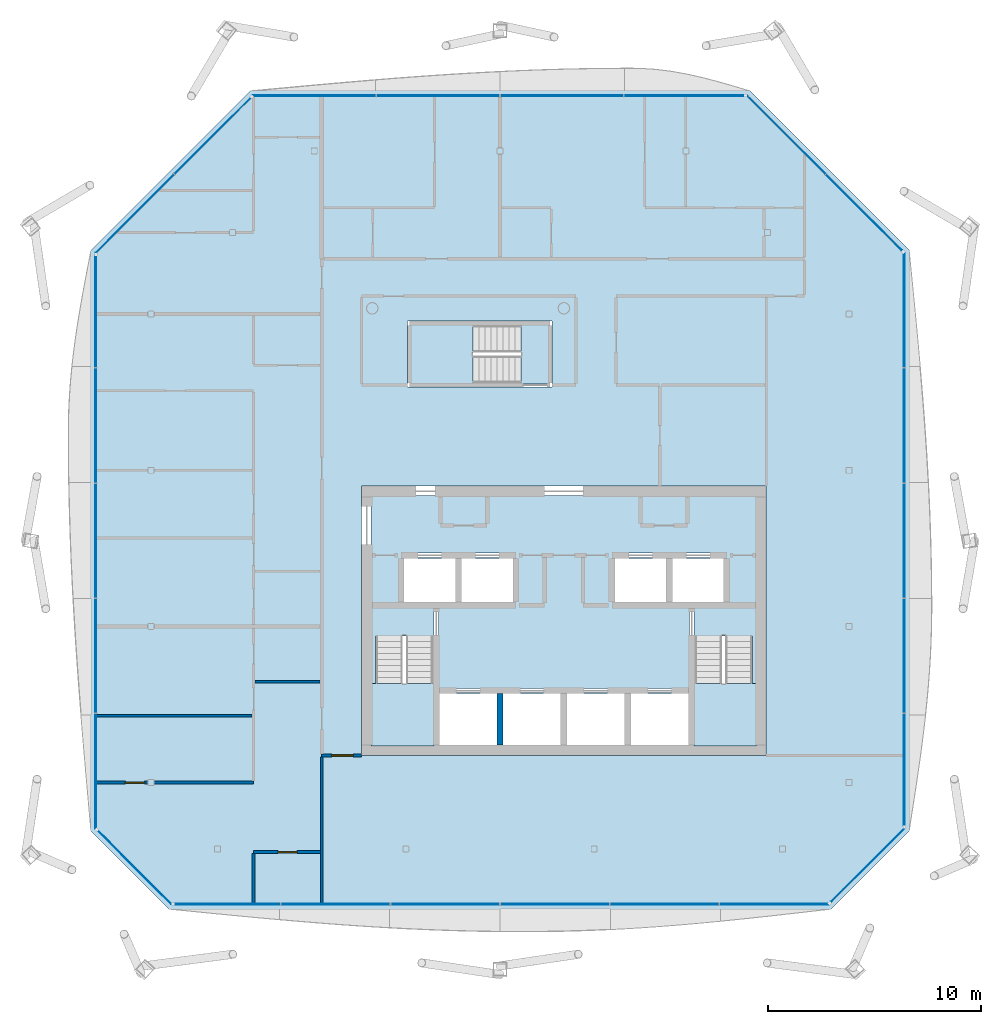
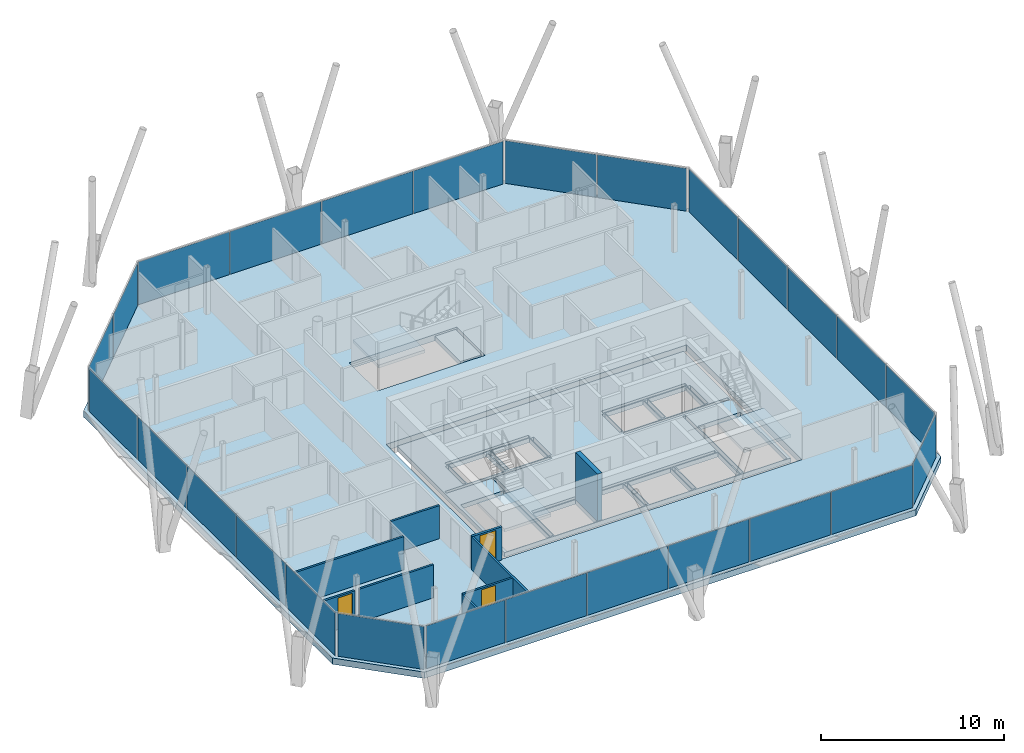
# One storey, part 11 of 18: 26 plates, 9 walls, 6 slabs, 3 doors, 3 openings, 11 elements without a shape of their own.
"""IFC4 building model written with IfcOpenShell, lengths in metres."""

from ifc_helpers import new_model, si_unit, direction, frame, frame_2d, origin, origin_2d, place, context, subcontext, project, spatial, polyline, rectangle, outline, extrude, material, layer, layer_set, type_object, element, fill, aggregate, save


model = new_model("IFC4")

# Units and contexts
model_context = context("Model", 3, precision=1e-05, world=origin(), true_north=direction((0.0, 1.0)))
body_context = subcontext(model_context, "Body", "Model", "MODEL_VIEW")
ifc_project = project(units=[si_unit("LENGTHUNIT", "METRE"), si_unit("AREAUNIT", "SQUARE_METRE"), si_unit("VOLUMEUNIT", "CUBIC_METRE"), si_unit("PLANEANGLEUNIT", "RADIAN"), si_unit("MASSUNIT", "GRAM", prefix="KILO")], contexts=[model_context])

# Site, building, storey
site_placement = place(None, origin())
site = spatial("IfcSite", under=ifc_project, at=site_placement, CompositionType="ELEMENT")
building_placement = place(site_placement, origin())
building = spatial("IfcBuilding", under=site, at=building_placement, Name="Tskaro Facet Tower", CompositionType="ELEMENT")
storey_placement = place(building_placement, frame((0.0, 0.0, 217.199951171875)))
storey = spatial("IfcBuildingStorey", under=building, at=storey_placement, Name="L55", CompositionType="ELEMENT", Elevation=217.199951171875)

# Curtain wall, plates
ifc_material_1 = material(Name="Bronze anodised aluminium 6063-T6", Category="aluminium")
curtain_wall_type = type_object("IfcCurtainWallType", Name="Bronze residence curtain wall (FW3)", PredefinedType="NOTDEFINED", material=ifc_material_1)
curtain_wall_1_placement = place(storey_placement, origin())
curtain_wall_1 = element("IfcCurtainWall", 1, at=curtain_wall_1_placement, inside=storey, type_object=curtain_wall_type, Name="FW3 south facet L55", PredefinedType="NOTDEFINED")
ifc_material_2 = material(Name="Bronze low-iron glass", Category="glass")
ifc_layer_1 = layer(ifc_material_2, 0.028076171875, Name="Bronze low-iron glass")
ifc_layer_set_1 = layer_set([ifc_layer_1], Name="Bronze low-iron glass")
plate_type = type_object("IfcPlateType", Name="FW3 bronze-tinted unit glazing 28", PredefinedType="CURTAIN_PANEL", material=ifc_layer_set_1)
plate_1_placement = place(storey_placement, frame((-15.804931640625, -18.985107421875, 0.0), z_axis=(0.0, 0.0, 1.0), x_axis=(1.0, 0.0, 0.0)))
plate_1 = element("IfcPlate", 2, at=plate_1_placement, type_object=plate_type, Name="FW3 south glazing 1.1", PredefinedType="CURTAIN_PANEL", context=body_context, shape_type="SweptSolid", body=[
    extrude(rectangle(XDim=4.97998046875, YDim=0.028076171875, at=origin_2d()), origin(), (0.0, 0.0, 1.0), 2.860107421875),
])
plate_2_placement = place(storey_placement, frame((-10.717529296875, -18.985107421875, 0.0), z_axis=(0.0, 0.0, 1.0), x_axis=(1.0, 0.0, 0.0)))
plate_2 = element("IfcPlate", 3, at=plate_2_placement, type_object=plate_type, Name="FW3 south glazing 2.1", PredefinedType="CURTAIN_PANEL", context=body_context, shape_type="SweptSolid", body=[
    extrude(rectangle(XDim=5.094970703125, YDim=0.028076171875, at=origin_2d()), origin(), (0.0, 0.0, 1.0), 2.860107421875),
])
plate_3_placement = place(storey_placement, frame((-5.572509765625, -18.985107421875, 0.0), z_axis=(0.0, 0.0, 1.0), x_axis=(1.0, 0.0, 0.0)))
plate_3 = element("IfcPlate", 4, at=plate_3_placement, type_object=plate_type, Name="FW3 south glazing 3.1", PredefinedType="CURTAIN_PANEL", context=body_context, shape_type="SweptSolid", body=[
    extrude(rectangle(XDim=5.094970703125, YDim=0.028076171875, at=origin_2d()), origin(), (0.0, 0.0, 1.0), 2.860107421875),
])
plate_4_placement = place(storey_placement, frame((-0.427490234375, -18.985107421875, 0.0), z_axis=(0.0, 0.0, 1.0), x_axis=(1.0, 0.0, 0.0)))
plate_4 = element("IfcPlate", 5, at=plate_4_placement, type_object=plate_type, Name="FW3 south glazing 4.1", PredefinedType="CURTAIN_PANEL", context=body_context, shape_type="SweptSolid", body=[
    extrude(rectangle(XDim=5.094970703125, YDim=0.028076171875, at=origin_2d()), origin(), (0.0, 0.0, 1.0), 2.860107421875),
])
plate_5_placement = place(storey_placement, frame((4.717529296875, -18.985107421875, 0.0), z_axis=(0.0, 0.0, 1.0), x_axis=(1.0, 0.0, 0.0)))
plate_5 = element("IfcPlate", 6, at=plate_5_placement, type_object=plate_type, Name="FW3 south glazing 5.1", PredefinedType="CURTAIN_PANEL", context=body_context, shape_type="SweptSolid", body=[
    extrude(rectangle(XDim=5.094970703125, YDim=0.028076171875, at=origin_2d()), origin(), (0.0, 0.0, 1.0), 2.860107421875),
])
plate_6_placement = place(storey_placement, frame((9.875, -18.985107421875, 0.0), z_axis=(0.0, 0.0, 1.0), x_axis=(1.0, 0.0, 0.0)))
plate_6 = element("IfcPlate", 7, at=plate_6_placement, type_object=plate_type, Name="FW3 south glazing 6.1", PredefinedType="CURTAIN_PANEL", context=body_context, shape_type="SweptSolid", body=[
    extrude(rectangle(XDim=5.1201171875, YDim=0.028076171875, at=origin_2d()), origin(), (0.0, 0.0, 1.0), 2.860107421875),
])
aggregate(curtain_wall_1, [plate_1, plate_2, plate_3, plate_4, plate_5, plate_6])

# Curtain wall, plate
curtain_wall_2_placement = place(storey_placement, origin())
curtain_wall_2 = element("IfcCurtainWall", 8, at=curtain_wall_2_placement, inside=storey, type_object=curtain_wall_type, Name="FW3 south-east facet L55", PredefinedType="NOTDEFINED")
plate_7_placement = place(storey_placement, frame((14.259521484375, -17.160400390625, 0.0), z_axis=(0.0, 0.0, 1.0), x_axis=(0.707106781187, 0.707106781187, 0.0)))
plate_7 = element("IfcPlate", 9, at=plate_7_placement, type_object=plate_type, Name="FW3 south-east glazing 1.1", PredefinedType="CURTAIN_PANEL", context=body_context, shape_type="SweptSolid", body=[
    extrude(rectangle(XDim=4.88037109375, YDim=0.028076171875, at=origin_2d()), origin(), (0.0, 0.0, 1.0), 2.860107421875),
])
aggregate(curtain_wall_2, [plate_7])

# Curtain wall, plates
curtain_wall_3_placement = place(storey_placement, origin())
curtain_wall_3 = element("IfcCurtainWall", 10, at=curtain_wall_3_placement, inside=storey, type_object=curtain_wall_type, Name="FW3 east facet L55", PredefinedType="NOTDEFINED")
plate_8_placement = place(storey_placement, frame((15.985107421875, -12.673095703125, 0.0), z_axis=(0.0, 0.0, 1.0), x_axis=(0.0, 1.0, 0.0)))
plate_8 = element("IfcPlate", 11, at=plate_8_placement, type_object=plate_type, Name="FW3 east glazing 1.1", PredefinedType="CURTAIN_PANEL", context=body_context, shape_type="SweptSolid", body=[
    extrude(rectangle(XDim=5.243896484375, YDim=0.028076171875, at=origin_2d()), origin(), (0.0, 0.0, 1.0), 2.860107421875),
])
plate_9_placement = place(storey_placement, frame((15.985107421875, -7.32177734375, 0.0), z_axis=(0.0, 0.0, 1.0), x_axis=(0.0, 1.0, 0.0)))
plate_9 = element("IfcPlate", 12, at=plate_9_placement, type_object=plate_type, Name="FW3 east glazing 2.1", PredefinedType="CURTAIN_PANEL", context=body_context, shape_type="SweptSolid", body=[
    extrude(rectangle(XDim=5.35888671875, YDim=0.028076171875, at=origin_2d()), origin(), (0.0, 0.0, 1.0), 2.860107421875),
])
plate_10_placement = place(storey_placement, frame((15.985107421875, -1.9130859375, 0.0), z_axis=(0.0, 0.0, 1.0), x_axis=(0.0, 1.0, 0.0)))
plate_10 = element("IfcPlate", 13, at=plate_10_placement, type_object=plate_type, Name="FW3 east glazing 3.1", PredefinedType="CURTAIN_PANEL", context=body_context, shape_type="SweptSolid", body=[
    extrude(rectangle(XDim=5.35888671875, YDim=0.028076171875, at=origin_2d()), origin(), (0.0, 0.0, 1.0), 2.860107421875),
])
plate_11_placement = place(storey_placement, frame((15.985107421875, 3.495849609375, 0.0), z_axis=(0.0, 0.0, 1.0), x_axis=(0.0, 1.0, 0.0)))
plate_11 = element("IfcPlate", 14, at=plate_11_placement, type_object=plate_type, Name="FW3 east glazing 4.1", PredefinedType="CURTAIN_PANEL", context=body_context, shape_type="SweptSolid", body=[
    extrude(rectangle(XDim=5.35888671875, YDim=0.028076171875, at=origin_2d()), origin(), (0.0, 0.0, 1.0), 2.860107421875),
])
plate_12_placement = place(storey_placement, frame((15.985107421875, 8.9169921875, 0.0), z_axis=(0.0, 0.0, 1.0), x_axis=(0.0, 1.0, 0.0)))
plate_12 = element("IfcPlate", 15, at=plate_12_placement, type_object=plate_type, Name="FW3 east glazing 5.1", PredefinedType="CURTAIN_PANEL", context=body_context, shape_type="SweptSolid", body=[
    extrude(rectangle(XDim=5.3837890625, YDim=0.028076171875, at=origin_2d()), origin(), (0.0, 0.0, 1.0), 2.860107421875),
])
aggregate(curtain_wall_3, [plate_8, plate_9, plate_10, plate_11, plate_12])

curtain_wall_4_placement = place(storey_placement, origin())
curtain_wall_4 = element("IfcCurtainWall", 16, at=curtain_wall_4_placement, inside=storey, type_object=curtain_wall_type, Name="FW3 north-east facet L55", PredefinedType="NOTDEFINED")
plate_13_placement = place(storey_placement, frame((14.100341796875, 13.49365234375, 0.0), z_axis=(0.0, 0.0, 1.0), x_axis=(-0.707106781187, 0.707106781187, 0.0)))
plate_13 = element("IfcPlate", 17, at=plate_13_placement, type_object=plate_type, Name="FW3 north-east glazing 1.1", PredefinedType="CURTAIN_PANEL", context=body_context, shape_type="SweptSolid", body=[
    extrude(rectangle(XDim=5.050537109375, YDim=0.028076171875, at=origin_2d()), origin(), (0.0, 0.0, 1.0), 2.860107421875),
])
plate_14_placement = place(storey_placement, frame((10.444091796875, 17.14990234375, 0.0), z_axis=(0.0, 0.0, 1.0), x_axis=(-0.707106781187, 0.707106781187, 0.0)))
plate_14 = element("IfcPlate", 18, at=plate_14_placement, type_object=plate_type, Name="FW3 north-east glazing 2.1", PredefinedType="CURTAIN_PANEL", context=body_context, shape_type="SweptSolid", body=[
    extrude(rectangle(XDim=5.190673828125, YDim=0.028076171875, at=origin_2d()), origin(), (0.0, 0.0, 1.0), 2.860107421875),
])
aggregate(curtain_wall_4, [plate_13, plate_14])

curtain_wall_5_placement = place(storey_placement, origin())
curtain_wall_5 = element("IfcCurtainWall", 19, at=curtain_wall_5_placement, inside=storey, type_object=curtain_wall_type, Name="FW3 north facet L55", PredefinedType="NOTDEFINED")
plate_15_placement = place(storey_placement, frame((5.649169921875, 18.985107421875, 0.0), z_axis=(0.0, 0.0, 1.0), x_axis=(-1.0, 0.0, 0.0)))
plate_15 = element("IfcPlate", 20, at=plate_15_placement, type_object=plate_type, Name="FW3 north glazing 1.1", PredefinedType="CURTAIN_PANEL", context=body_context, shape_type="SweptSolid", body=[
    extrude(rectangle(XDim=5.639404296875, YDim=0.028076171875, at=origin_2d()), origin(), (0.0, 0.0, 1.0), 2.860107421875),
])
plate_16_placement = place(storey_placement, frame((-0.09765625, 18.985107421875, 0.0), z_axis=(0.0, 0.0, 1.0), x_axis=(-1.0, 0.0, 0.0)))
plate_16 = element("IfcPlate", 21, at=plate_16_placement, type_object=plate_type, Name="FW3 north glazing 2.1", PredefinedType="CURTAIN_PANEL", context=body_context, shape_type="SweptSolid", body=[
    extrude(rectangle(XDim=5.75439453125, YDim=0.028076171875, at=origin_2d()), origin(), (0.0, 0.0, 1.0), 2.860107421875),
])
plate_17_placement = place(storey_placement, frame((-5.90234375, 18.985107421875, 0.0), z_axis=(0.0, 0.0, 1.0), x_axis=(-1.0, 0.0, 0.0)))
plate_17 = element("IfcPlate", 22, at=plate_17_placement, type_object=plate_type, Name="FW3 north glazing 3.1", PredefinedType="CURTAIN_PANEL", context=body_context, shape_type="SweptSolid", body=[
    extrude(rectangle(XDim=5.75439453125, YDim=0.028076171875, at=origin_2d()), origin(), (0.0, 0.0, 1.0), 2.860107421875),
])
plate_18_placement = place(storey_placement, frame((-11.71923828125, 18.985107421875, 0.0), z_axis=(0.0, 0.0, 1.0), x_axis=(-1.0, 0.0, 0.0)))
plate_18 = element("IfcPlate", 23, at=plate_18_placement, type_object=plate_type, Name="FW3 north glazing 4.1", PredefinedType="CURTAIN_PANEL", context=body_context, shape_type="SweptSolid", body=[
    extrude(rectangle(XDim=5.779541015625, YDim=0.028076171875, at=origin_2d()), origin(), (0.0, 0.0, 1.0), 2.860107421875),
])
aggregate(curtain_wall_5, [plate_15, plate_16, plate_17, plate_18])

curtain_wall_6_placement = place(storey_placement, origin())
curtain_wall_6 = element("IfcCurtainWall", 24, at=curtain_wall_6_placement, inside=storey, type_object=curtain_wall_type, Name="FW3 north-west facet L55", PredefinedType="NOTDEFINED")
plate_19_placement = place(storey_placement, frame((-16.49365234375, 17.100341796875, 0.0), z_axis=(0.0, 0.0, 1.0), x_axis=(-0.707106781187, -0.707106781187, 0.0)))
plate_19 = element("IfcPlate", 25, at=plate_19_placement, type_object=plate_type, Name="FW3 north-west glazing 1.1", PredefinedType="CURTAIN_PANEL", context=body_context, shape_type="SweptSolid", body=[
    extrude(rectangle(XDim=5.050537109375, YDim=0.028076171875, at=origin_2d()), origin(), (0.0, 0.0, 1.0), 2.860107421875),
])
plate_20_placement = place(storey_placement, frame((-20.14990234375, 13.444091796875, 0.0), z_axis=(0.0, 0.0, 1.0), x_axis=(-0.707106781187, -0.707106781187, 0.0)))
plate_20 = element("IfcPlate", 26, at=plate_20_placement, type_object=plate_type, Name="FW3 north-west glazing 2.1", PredefinedType="CURTAIN_PANEL", context=body_context, shape_type="SweptSolid", body=[
    extrude(rectangle(XDim=5.190673828125, YDim=0.028076171875, at=origin_2d()), origin(), (0.0, 0.0, 1.0), 2.860107421875),
])
aggregate(curtain_wall_6, [plate_19, plate_20])

curtain_wall_7_placement = place(storey_placement, origin())
curtain_wall_7 = element("IfcCurtainWall", 27, at=curtain_wall_7_placement, inside=storey, type_object=curtain_wall_type, Name="FW3 west facet L55", PredefinedType="NOTDEFINED")
plate_21_placement = place(storey_placement, frame((-21.985107421875, 8.84716796875, 0.0), z_axis=(0.0, 0.0, 1.0), x_axis=(0.0, -1.0, 0.0)))
plate_21 = element("IfcPlate", 28, at=plate_21_placement, type_object=plate_type, Name="FW3 west glazing 1.1", PredefinedType="CURTAIN_PANEL", context=body_context, shape_type="SweptSolid", body=[
    extrude(rectangle(XDim=5.243896484375, YDim=0.028076171875, at=origin_2d()), origin(), (0.0, 0.0, 1.0), 2.860107421875),
])
plate_22_placement = place(storey_placement, frame((-21.985107421875, 3.495849609375, 0.0), z_axis=(0.0, 0.0, 1.0), x_axis=(0.0, -1.0, 0.0)))
plate_22 = element("IfcPlate", 29, at=plate_22_placement, type_object=plate_type, Name="FW3 west glazing 2.1", PredefinedType="CURTAIN_PANEL", context=body_context, shape_type="SweptSolid", body=[
    extrude(rectangle(XDim=5.35888671875, YDim=0.028076171875, at=origin_2d()), origin(), (0.0, 0.0, 1.0), 2.860107421875),
])
plate_23_placement = place(storey_placement, frame((-21.985107421875, -1.9130859375, 0.0), z_axis=(0.0, 0.0, 1.0), x_axis=(0.0, -1.0, 0.0)))
plate_23 = element("IfcPlate", 30, at=plate_23_placement, type_object=plate_type, Name="FW3 west glazing 3.1", PredefinedType="CURTAIN_PANEL", context=body_context, shape_type="SweptSolid", body=[
    extrude(rectangle(XDim=5.35888671875, YDim=0.028076171875, at=origin_2d()), origin(), (0.0, 0.0, 1.0), 2.860107421875),
])
plate_24_placement = place(storey_placement, frame((-21.985107421875, -7.32177734375, 0.0), z_axis=(0.0, 0.0, 1.0), x_axis=(0.0, -1.0, 0.0)))
plate_24 = element("IfcPlate", 31, at=plate_24_placement, type_object=plate_type, Name="FW3 west glazing 4.1", PredefinedType="CURTAIN_PANEL", context=body_context, shape_type="SweptSolid", body=[
    extrude(rectangle(XDim=5.35888671875, YDim=0.028076171875, at=origin_2d()), origin(), (0.0, 0.0, 1.0), 2.860107421875),
])
plate_25_placement = place(storey_placement, frame((-21.985107421875, -12.7431640625, 0.0), z_axis=(0.0, 0.0, 1.0), x_axis=(0.0, -1.0, 0.0)))
plate_25 = element("IfcPlate", 32, at=plate_25_placement, type_object=plate_type, Name="FW3 west glazing 5.1", PredefinedType="CURTAIN_PANEL", context=body_context, shape_type="SweptSolid", body=[
    extrude(rectangle(XDim=5.3837890625, YDim=0.028076171875, at=origin_2d()), origin(), (0.0, 0.0, 1.0), 2.860107421875),
])
aggregate(curtain_wall_7, [plate_21, plate_22, plate_23, plate_24, plate_25])

# Curtain wall, plate
curtain_wall_8_placement = place(storey_placement, origin())
curtain_wall_8 = element("IfcCurtainWall", 33, at=curtain_wall_8_placement, inside=storey, type_object=curtain_wall_type, Name="FW3 south-west facet L55", PredefinedType="NOTDEFINED")
plate_26_placement = place(storey_placement, frame((-20.160400390625, -17.259521484375, 0.0), z_axis=(0.0, 0.0, 1.0), x_axis=(0.707106781187, -0.707106781187, 0.0)))
plate_26 = element("IfcPlate", 34, at=plate_26_placement, type_object=plate_type, Name="FW3 south-west glazing 1.1", PredefinedType="CURTAIN_PANEL", context=body_context, shape_type="SweptSolid", body=[
    extrude(rectangle(XDim=4.88037109375, YDim=0.028076171875, at=origin_2d()), origin(), (0.0, 0.0, 1.0), 2.860107421875),
])
aggregate(curtain_wall_8, [plate_26])

# Stair, slab
ifc_material_3 = material(Name="Concrete C40/50", Category="concrete")
stair_type = type_object("IfcStairType", Name="ST-TWR", PredefinedType="HALF_TURN_STAIR", material=ifc_material_3)
stair_1_placement = place(storey_placement, origin())
stair_1 = element("IfcStair", 35, at=stair_1_placement, inside=storey, type_object=stair_type, Name="L55 Exit stair 1", PredefinedType="HALF_TURN_STAIR")
ifc_layer_2 = layer(ifc_material_3, 0.199951171875, Name="Concrete C40/50")
ifc_layer_set_2 = layer_set([ifc_layer_2], Name="Concrete C40/50")
slab_type_1 = type_object("IfcSlabType", Name="SL-LANDING", PredefinedType="LANDING", material=ifc_layer_set_2)
slab_1_placement = place(storey_placement, frame((0.0, 0.0, 1.375)))
slab_1 = element("IfcSlab", 36, at=slab_1_placement, type_object=slab_type_1, Name="ST-1 landing 1", PredefinedType="LANDING", context=body_context, shape_type="SweptSolid", body=[
    extrude(outline(polyline([(-9.050048828125, -11.550048828125), (-6.10009765625, -11.550048828125), (-6.10009765625, -8.614990234375), (-9.050048828125, -8.614990234375), (-9.050048828125, -11.550048828125)])), origin(), (0.0, 0.0, 1.0), 0.199951171875),
])
aggregate(stair_1, [slab_1])

stair_2_placement = place(storey_placement, origin())
stair_2 = element("IfcStair", 37, at=stair_2_placement, inside=storey, type_object=stair_type, Name="L55 Exit stair 2", PredefinedType="HALF_TURN_STAIR")
slab_2_placement = place(storey_placement, frame((0.0, 0.0, 1.375)))
slab_2 = element("IfcSlab", 38, at=slab_2_placement, type_object=slab_type_1, Name="ST-2 landing 1", PredefinedType="LANDING", context=body_context, shape_type="SweptSolid", body=[
    extrude(outline(polyline([(6.10009765625, -11.550048828125), (9.050048828125, -11.550048828125), (9.050048828125, -8.614990234375), (6.10009765625, -8.614990234375), (6.10009765625, -11.550048828125)])), origin(), (0.0, 0.0, 1.0), 0.199951171875),
])
aggregate(stair_2, [slab_2])

stair_3_placement = place(storey_placement, origin())
stair_3 = element("IfcStair", 39, at=stair_3_placement, inside=storey, type_object=stair_type, Name="L55 Exit stair 3", PredefinedType="HALF_TURN_STAIR")
slab_3_placement = place(storey_placement, frame((0.0, 0.0, 1.375)))
slab_3 = element("IfcSlab", 40, at=slab_3_placement, type_object=slab_type_1, Name="ST-3 landing 1", PredefinedType="LANDING", context=body_context, shape_type="SweptSolid", body=[
    extrude(outline(polyline([(-7.199951171875, 5.449951171875), (-4.264892578125, 5.449951171875), (-4.264892578125, 8.25), (-7.199951171875, 8.25), (-7.199951171875, 5.449951171875)])), origin(), (0.0, 0.0, 1.0), 0.199951171875),
])
aggregate(stair_3, [slab_3])

# Slabs
ifc_material_4 = material(Name="Concrete C60/75", Category="concrete")
ifc_layer_3 = layer(ifc_material_4, 0.300048828125, Name="Concrete C60/75")
ifc_layer_set_3 = layer_set([ifc_layer_3], Name="Concrete C60/75")
slab_type_2 = type_object("IfcSlabType", Name="SLAB-CORE", PredefinedType="FLOOR", material=ifc_layer_set_3)
slab_4_placement = place(storey_placement, frame((0.0, 0.0, -0.300048828125)))
element("IfcSlab", 41, at=slab_4_placement, inside=storey, type_object=slab_type_2, Name="Core floor slab 1", PredefinedType="FLOOR", context=body_context, shape_type="SweptSolid", body=[
    extrude(outline(polyline([(-9.050048828125, 0.199951171875), (9.050048828125, 0.199951171875), (9.050048828125, 0.10009765625), (9.050048828125, -11.449951171875), (9.050048828125, -11.550048828125), (-9.050048828125, -11.550048828125), (-9.050048828125, -11.449951171875), (-9.050048828125, 0.10009765625), (-9.050048828125, 0.199951171875)]), holes=[polyline([(-5.85009765625, -9.10009765625), (-5.85009765625, -11.5), (-3.14990234375, -11.5), (-3.14990234375, -9.10009765625), (-5.85009765625, -9.10009765625)]), polyline([(-3.10009765625, -11.449951171875), (-2.89990234375, -11.449951171875), (-2.89990234375, -9.14990234375), (-3.10009765625, -9.14990234375), (-3.10009765625, -11.449951171875)]), polyline([(-2.85009765625, -9.10009765625), (-2.85009765625, -11.5), (-0.14990234375, -11.5), (-0.14990234375, -9.10009765625), (-2.85009765625, -9.10009765625)]), polyline([(-6.10009765625, -11.449951171875), (-5.89990234375, -11.449951171875), (-5.89990234375, -5.14990234375), (-6.10009765625, -5.14990234375), (-6.10009765625, -11.449951171875)]), polyline([(-8.949951171875, -5.050048828125), (-2.300048828125, -5.050048828125), (-2.300048828125, -4.85009765625), (-8.949951171875, -4.85009765625), (-8.949951171875, -5.050048828125)]), polyline([(-7.75, -4.75), (-7.550048828125, -4.75), (-7.550048828125, -2.800048828125), (-7.75, -2.800048828125), (-7.75, -4.75)]), polyline([(-5.10009765625, -2.75), (-7.5, -2.75), (-7.5, -4.800048828125), (-5.10009765625, -4.800048828125), (-5.10009765625, -2.75)]), polyline([(-5.050048828125, -4.75), (-4.85009765625, -4.75), (-4.85009765625, -2.800048828125), (-5.050048828125, -2.800048828125), (-5.050048828125, -4.75)]), polyline([(-2.39990234375, -4.800048828125), (-2.39990234375, -2.75), (-4.800048828125, -2.75), (-4.800048828125, -4.800048828125), (-2.39990234375, -4.800048828125)]), polyline([(-2.35009765625, -4.75), (-2.14990234375, -4.75), (-2.14990234375, -2.800048828125), (-2.35009765625, -2.800048828125), (-2.35009765625, -4.75)]), polyline([(-7.60009765625, -2.699951171875), (-2.300048828125, -2.699951171875), (-2.300048828125, -2.5), (-7.60009765625, -2.5), (-7.60009765625, -2.699951171875)]), polyline([(-0.10009765625, -11.449951171875), (0.10009765625, -11.449951171875), (0.10009765625, -9.14990234375), (-0.10009765625, -9.14990234375), (-0.10009765625, -11.449951171875)]), polyline([(0.14990234375, -9.10009765625), (0.14990234375, -11.5), (2.85009765625, -11.5), (2.85009765625, -9.10009765625), (0.14990234375, -9.10009765625)]), polyline([(2.89990234375, -11.449951171875), (3.10009765625, -11.449951171875), (3.10009765625, -9.14990234375), (2.89990234375, -9.14990234375), (2.89990234375, -11.449951171875)]), polyline([(3.14990234375, -9.10009765625), (3.14990234375, -11.5), (5.85009765625, -11.5), (5.85009765625, -9.10009765625), (3.14990234375, -9.10009765625)]), polyline([(-5.800048828125, -9.050048828125), (5.800048828125, -9.050048828125), (5.800048828125, -8.85009765625), (-5.800048828125, -8.85009765625), (-5.800048828125, -9.050048828125)]), polyline([(5.89990234375, -11.449951171875), (6.10009765625, -11.449951171875), (6.10009765625, -5.14990234375), (5.89990234375, -5.14990234375), (5.89990234375, -11.449951171875)]), polyline([(2.300048828125, -5.050048828125), (8.949951171875, -5.050048828125), (8.949951171875, -4.85009765625), (2.300048828125, -4.85009765625), (2.300048828125, -5.050048828125)]), polyline([(2.14990234375, -4.75), (2.35009765625, -4.75), (2.35009765625, -2.800048828125), (2.14990234375, -2.800048828125), (2.14990234375, -4.75)]), polyline([(2.39990234375, -2.75), (2.39990234375, -4.800048828125), (4.800048828125, -4.800048828125), (4.800048828125, -2.75), (2.39990234375, -2.75)]), polyline([(4.85009765625, -4.75), (5.050048828125, -4.75), (5.050048828125, -2.800048828125), (4.85009765625, -2.800048828125), (4.85009765625, -4.75)]), polyline([(7.5, -4.800048828125), (7.5, -2.75), (5.10009765625, -2.75), (5.10009765625, -4.800048828125), (7.5, -4.800048828125)]), polyline([(7.550048828125, -4.75), (7.75, -4.75), (7.75, -2.800048828125), (7.550048828125, -2.800048828125), (7.550048828125, -4.75)]), polyline([(2.300048828125, -2.699951171875), (7.60009765625, -2.699951171875), (7.60009765625, -2.5), (2.300048828125, -2.5), (2.300048828125, -2.699951171875)]), polyline([(-8.85009765625, -11.5), (-6.14990234375, -11.5), (-6.14990234375, -6.39501953125), (-8.85009765625, -6.39501953125), (-8.85009765625, -11.5)]), polyline([(6.14990234375, -6.39501953125), (6.14990234375, -11.5), (8.85009765625, -11.5), (8.85009765625, -6.39501953125), (6.14990234375, -6.39501953125)])]), origin(), (0.0, 0.0, 1.0), 0.300048828125),
])
slab_5_placement = place(storey_placement, frame((0.0, 0.0, -0.300048828125)))
element("IfcSlab", 42, at=slab_5_placement, inside=storey, type_object=slab_type_2, Name="Stair 3 floor landing 1", PredefinedType="FLOOR", context=body_context, shape_type="SweptSolid", body=[
    extrude(outline(polyline([(-2.02490234375, 5.449951171875), (-0.699951171875, 5.449951171875), (-0.699951171875, 8.25), (-2.02490234375, 8.25), (-2.02490234375, 5.449951171875)])), origin(), (0.0, 0.0, 1.0), 0.300048828125),
])
ifc_layer_4 = layer(ifc_material_3, 0.419921875, Name="Concrete C40/50")
ifc_layer_set_4 = layer_set([ifc_layer_4], Name="Concrete C40/50")
slab_type_3 = type_object("IfcSlabType", Name="Transfer floor slab", PredefinedType="FLOOR", material=ifc_layer_set_4)
slab_6_placement = place(storey_placement, frame((0.0, 0.0, -0.419921875)))
element("IfcSlab", 43, at=slab_6_placement, inside=storey, type_object=slab_type_3, Name="Floor slab FS7 L55", PredefinedType="FLOOR", context=body_context, shape_type="SweptSolid", body=[
    extrude(outline(polyline([(-18.5390625, -19.235107421875), (12.5390625, -19.235107421875), (16.235107421875, -15.5390625), (16.235107421875, 11.712890625), (8.712890625, 19.235107421875), (-14.712890625, 19.235107421875), (-22.235107421875, 11.712890625), (-22.235107421875, -15.5390625), (-18.5390625, -19.235107421875)]), holes=[polyline([(-9.5, -12.0), (9.5, -12.0), (9.5, 0.64990234375), (-9.5, 0.64990234375), (-9.5, -12.0)]), polyline([(-7.35009765625, 5.300048828125), (-0.550048828125, 5.300048828125), (-0.550048828125, 8.39990234375), (-7.35009765625, 8.39990234375), (-7.35009765625, 5.300048828125)])]), origin(), (0.0, 0.0, 1.0), 0.419921875),
])

# Wall
ifc_layer_5 = layer(ifc_material_4, 0.300048828125, Name="Concrete C60/75")
ifc_layer_set_5 = layer_set([ifc_layer_5], Name="Concrete C60/75")
wall_type_1 = type_object("IfcWallType", Name="CORE-SHAFT", PredefinedType="SHEAR", material=ifc_layer_set_5)
wall_1_placement = place(storey_placement, frame((-3.0, -11.5, 0.0), z_axis=(0.0, 0.0, 1.0), x_axis=(0.0, 1.0, 0.0)))
element("IfcWall", 44, at=wall_1_placement, inside=storey, type_object=wall_type_1, Name="Shaft wall W062", PredefinedType="SHEAR", context=body_context, shape_type="SweptSolid", body=[
    extrude(rectangle(XDim=2.39990234375, YDim=0.300048828125, at=frame_2d((1.199951171875, 0.0))), origin(), (0.0, 0.0, 1.0), 3.150146484375),
])

# Wall, opening, door
ifc_material_5 = material(Name="Gypsum board on steel studs", Category="steel")
ifc_layer_6 = layer(ifc_material_5, 0.125, Name="Gypsum board on steel studs")
ifc_layer_set_6 = layer_set([ifc_layer_6], Name="Gypsum board on steel studs")
wall_type_2 = type_object("IfcWallType", Name="PART", PredefinedType="PARTITIONING", material=ifc_layer_set_6)
wall_2_placement = place(storey_placement, frame((-11.4375, -16.534912109375, 0.0), z_axis=(0.0, 0.0, 1.0), x_axis=(-1.0, 0.0, 0.0)))
wall_2 = element("IfcWall", 45, at=wall_2_placement, inside=storey, type_object=wall_type_2, Name="Partition W001", PredefinedType="PARTITIONING", context=body_context, shape_type="SweptSolid", body=[
    extrude(rectangle(XDim=3.137451171875, YDim=0.125, at=frame_2d((1.56884765625, 0.0))), origin(), (0.0, 0.0, 1.0), 2.2099609375),
])
opening_1_placement = place(wall_2_placement, frame((1.08740234375, 0.0, 0.0)))
opening_1 = element("IfcOpeningElement", 46, at=opening_1_placement, cuts=wall_2, Name="Opening T16-D01", PredefinedType="OPENING", context=body_context, shape_type="SweptSolid", body=[
    extrude(rectangle(XDim=0.89990234375, YDim=2.10009765625, at=frame_2d((0.449951171875, 1.050048828125))), frame((0.0, 0.072509765625, 0.0), z_axis=(0.0, -1.0, 0.0), x_axis=(1.0, 0.0, 0.0)), (0.0, 0.0, 1.0), 0.14501953125),
])
ifc_material_6 = material(Name="Timber", Category="wood")
door_type_1 = type_object("IfcDoorType", Name="D-ROOM", OperationType="NOTDEFINED", PredefinedType="DOOR", material=ifc_material_6)
door_1_placement = place(opening_1_placement, origin())
door_1 = element("IfcDoor", 47, at=door_1_placement, inside=storey, type_object=door_type_1, Name="Door T16-D01", OperationType="SINGLE_SWING_RIGHT", OverallHeight=2.10009765625, OverallWidth=0.89990234375, PredefinedType="DOOR", context=body_context, shape_type="SweptSolid", body=[
    extrude(rectangle(XDim=0.89990234375, YDim=2.10009765625, at=frame_2d((0.449951171875, 1.050048828125))), frame((0.0, 0.02490234375, 0.0), z_axis=(0.0, -1.0, 0.0), x_axis=(1.0, 0.0, 0.0)), (0.0, 0.0, 1.0), 0.050048828125),
])
fill(opening_1, door_1)

wall_3_placement = place(storey_placement, frame((-21.93505859375, -13.27001953125, 0.0), z_axis=(0.0, 0.0, 1.0), x_axis=(1.0, 0.0, 0.0)))
wall_3 = element("IfcWall", 48, at=wall_3_placement, inside=storey, type_object=wall_type_2, Name="Partition W002", PredefinedType="PARTITIONING", context=body_context, shape_type="SweptSolid", body=[
    extrude(rectangle(XDim=2.39404296875, YDim=0.125, at=frame_2d((1.197021484375, 0.0))), origin(), (0.0, 0.0, 1.0), 2.2099609375),
])
opening_2_placement = place(wall_3_placement, frame((1.343994140625, 0.0, 0.0)))
opening_2 = element("IfcOpeningElement", 49, at=opening_2_placement, cuts=wall_3, Name="Opening T16-D02", PredefinedType="OPENING", context=body_context, shape_type="SweptSolid", body=[
    extrude(rectangle(XDim=0.89990234375, YDim=2.10009765625, at=frame_2d((0.449951171875, 1.050048828125))), frame((0.0, 0.072509765625, 0.0), z_axis=(0.0, -1.0, 0.0), x_axis=(1.0, 0.0, 0.0)), (0.0, 0.0, 1.0), 0.14501953125),
])
door_2_placement = place(opening_2_placement, origin())
door_2 = element("IfcDoor", 50, at=door_2_placement, inside=storey, type_object=door_type_1, Name="Door T16-D02", OperationType="SINGLE_SWING_LEFT", OverallHeight=2.10009765625, OverallWidth=0.89990234375, PredefinedType="DOOR", context=body_context, shape_type="SweptSolid", body=[
    extrude(rectangle(XDim=0.89990234375, YDim=2.10009765625, at=frame_2d((0.449951171875, 1.050048828125))), frame((0.0, 0.02490234375, 0.0), z_axis=(0.0, -1.0, 0.0), x_axis=(1.0, 0.0, 0.0)), (0.0, 0.0, 1.0), 0.050048828125),
])
fill(opening_2, door_2)

# Walls
wall_4_placement = place(storey_placement, frame((-19.240966796875, -13.27001953125, 0.0), z_axis=(0.0, 0.0, 1.0), x_axis=(1.0, 0.0, 0.0)))
element("IfcWall", 51, at=wall_4_placement, inside=storey, type_object=wall_type_2, Name="Partition W003", PredefinedType="PARTITIONING", context=body_context, shape_type="SweptSolid", body=[
    extrude(rectangle(XDim=4.666015625, YDim=0.125, at=frame_2d((2.3330078125, 0.0))), origin(), (0.0, 0.0, 1.0), 2.2099609375),
])
wall_5_placement = place(storey_placement, frame((-21.93505859375, -10.139892578125, 0.0), z_axis=(0.0, 0.0, 1.0), x_axis=(1.0, 0.0, 0.0)))
element("IfcWall", 52, at=wall_5_placement, inside=storey, type_object=wall_type_2, Name="Partition W006", PredefinedType="PARTITIONING", context=body_context, shape_type="SweptSolid", body=[
    extrude(rectangle(XDim=7.297607421875, YDim=0.125, at=frame_2d((3.64892578125, 0.0))), origin(), (0.0, 0.0, 1.0), 2.2099609375),
])
wall_6_placement = place(storey_placement, frame((-14.512451171875, -8.5400390625, 0.0), z_axis=(0.0, 0.0, 1.0), x_axis=(1.0, 0.0, 0.0)))
element("IfcWall", 53, at=wall_6_placement, inside=storey, type_object=wall_type_2, Name="Partition W008", PredefinedType="PARTITIONING", context=body_context, shape_type="SweptSolid", body=[
    extrude(rectangle(XDim=3.0625, YDim=0.125, at=frame_2d((1.53125, 0.0))), origin(), (0.0, 0.0, 1.0), 2.2099609375),
])
wall_7_placement = place(storey_placement, frame((-14.574951171875, -18.93505859375, 0.0), z_axis=(0.0, 0.0, 1.0), x_axis=(0.0, 1.0, 0.0)))
element("IfcWall", 54, at=wall_7_placement, inside=storey, type_object=wall_type_2, Name="Partition W046", PredefinedType="PARTITIONING", context=body_context, shape_type="SweptSolid", body=[
    extrude(rectangle(XDim=2.337646484375, YDim=0.125, at=frame_2d((1.1689453125, 0.0))), origin(), (0.0, 0.0, 1.0), 2.2099609375),
])
wall_8_placement = place(storey_placement, frame((-11.375, -18.93505859375, 0.0), z_axis=(0.0, 0.0, 1.0), x_axis=(0.0, 1.0, 0.0)))
element("IfcWall", 55, at=wall_8_placement, inside=storey, type_object=wall_type_2, Name="Partition W050", PredefinedType="PARTITIONING", context=body_context, shape_type="SweptSolid", body=[
    extrude(rectangle(XDim=6.860107421875, YDim=0.125, at=frame_2d((3.43017578125, 0.0))), origin(), (0.0, 0.0, 1.0), 2.2099609375),
])

# Wall, opening, door
ifc_layer_7 = layer(ifc_material_5, 0.14990234375, Name="Gypsum board on steel studs")
ifc_layer_set_7 = layer_set([ifc_layer_7], Name="Gypsum board on steel studs")
wall_type_3 = type_object("IfcWallType", Name="PART-CORR", PredefinedType="PARTITIONING", material=ifc_layer_set_7)
wall_9_placement = place(storey_placement, frame((-9.5, -12.0, 0.0), z_axis=(0.0, 0.0, 1.0), x_axis=(-1.0, 0.0, 0.0)))
wall_9 = element("IfcWall", 56, at=wall_9_placement, inside=storey, type_object=wall_type_3, Name="Corridor wall W004", PredefinedType="PARTITIONING", context=body_context, shape_type="SweptSolid", body=[
    extrude(rectangle(XDim=1.875, YDim=0.14990234375, at=frame_2d((0.9375, 0.0))), origin(), (0.0, 0.0, 1.0), 2.2099609375),
])
opening_3_placement = place(wall_9_placement, frame((0.39990234375, 0.0, 0.0)))
opening_3 = element("IfcOpeningElement", 57, at=opening_3_placement, cuts=wall_9, Name="Opening T16-D03", PredefinedType="OPENING", context=body_context, shape_type="SweptSolid", body=[
    extrude(rectangle(XDim=1.0, YDim=2.10009765625, at=frame_2d((0.5, 1.050048828125))), frame((0.0, 0.0849609375, 0.0), z_axis=(0.0, -1.0, 0.0), x_axis=(1.0, 0.0, 0.0)), (0.0, 0.0, 1.0), 0.169921875),
])
door_type_2 = type_object("IfcDoorType", Name="D-ROOM-WIDE", OperationType="NOTDEFINED", PredefinedType="DOOR", material=ifc_material_6)
door_3_placement = place(opening_3_placement, origin())
door_3 = element("IfcDoor", 58, at=door_3_placement, inside=storey, type_object=door_type_2, Name="Door T16-D03", OperationType="SINGLE_SWING_RIGHT", OverallHeight=2.10009765625, OverallWidth=1.0, PredefinedType="DOOR", context=body_context, shape_type="SweptSolid", body=[
    extrude(rectangle(XDim=1.0, YDim=2.10009765625, at=frame_2d((0.5, 1.050048828125))), frame((0.0, 0.02490234375, 0.0), z_axis=(0.0, -1.0, 0.0), x_axis=(1.0, 0.0, 0.0)), (0.0, 0.0, 1.0), 0.050048828125),
])
fill(opening_3, door_3)

save(model, "model.ifc")
